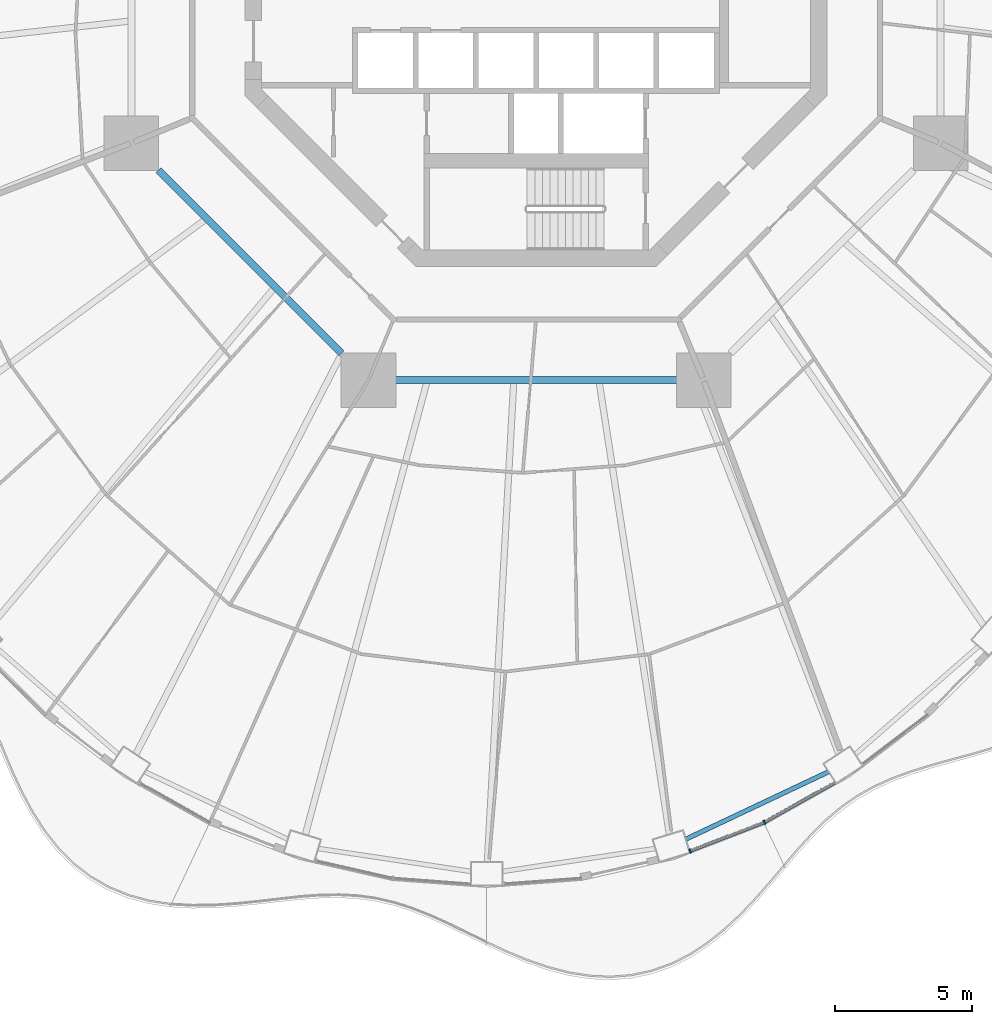
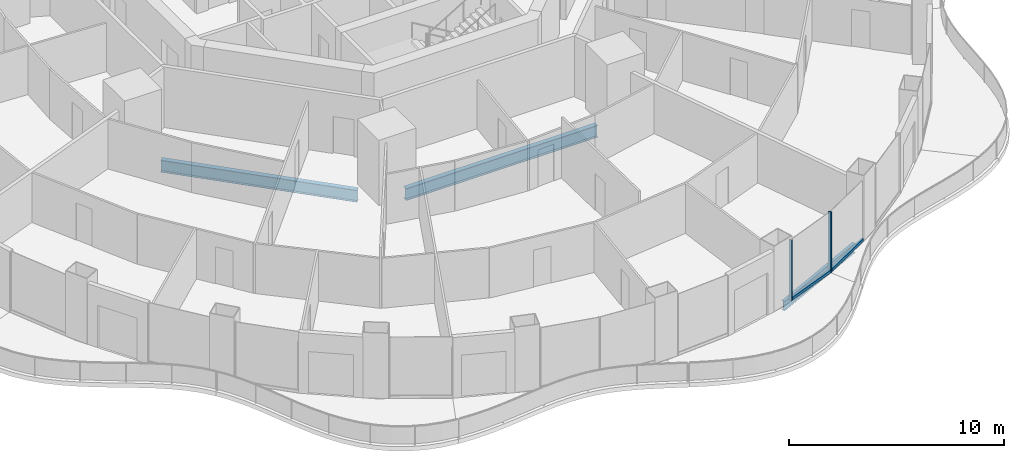
# One storey, part 4 of 20: 4 members, 3 beams, 2 elements without a shape of their own.
"""IFC4 building model written with IfcOpenShell, lengths in metres."""

from ifc_helpers import new_model, si_unit, direction, frame, origin, origin_2d, place, context, subcontext, project, spatial, rectangle, i_section, extrude, material, layer, layer_set, material_profile, profile_set, type_object, element, aggregate, save


model = new_model("IFC4")

# Units and contexts
model_context = context("Model", 3, precision=1e-05, world=origin(), true_north=direction((0.0, 1.0)))
body_context = subcontext(model_context, "Body", "Model", "MODEL_VIEW")
ifc_project = project(units=[si_unit("LENGTHUNIT", "METRE"), si_unit("AREAUNIT", "SQUARE_METRE"), si_unit("VOLUMEUNIT", "CUBIC_METRE"), si_unit("PLANEANGLEUNIT", "RADIAN"), si_unit("MASSUNIT", "GRAM", prefix="KILO")], contexts=[model_context])

# Site, building, storey
site_placement = place(None, origin())
site = spatial("IfcSite", under=ifc_project, at=site_placement, CompositionType="ELEMENT")
building_placement = place(site_placement, origin())
building = spatial("IfcBuilding", under=site, at=building_placement, Name="Nagisa Residences", CompositionType="ELEMENT")
storey_placement = place(building_placement, frame((0.0, 0.0, 152.89990234375)))
storey = spatial("IfcBuildingStorey", under=building, at=storey_placement, Name="L38", CompositionType="ELEMENT", Elevation=152.89990234375)

# Curtain wall, member
ifc_material_1 = material(Name="Concrete-coloured aluminium curtain wall system", Category="concrete")
ifc_layer = layer(ifc_material_1, 0.159912109375)
ifc_layer_set = layer_set([ifc_layer], Name="CW1 CURTAIN WALL")
curtain_wall_type = type_object("IfcCurtainWallType", Name="CW1 CURTAIN WALL", PredefinedType="NOTDEFINED", material=ifc_layer_set)
curtain_wall_1_placement = place(storey_placement, origin())
curtain_wall_1 = element("IfcCurtainWall", 1, at=curtain_wall_1_placement, inside=storey, type_object=curtain_wall_type, Name="cw:CW1:L38:38", PredefinedType="NOTDEFINED")
ifc_material_2 = material(Name="Concrete-coloured aluminium", Category="concrete")
ifc_material_profile_1 = material_profile(ifc_material_2, rectangle(XDim=0.159912109375, YDim=0.06005859375, at=origin_2d()), Name="CW1 MULLION 160x60")
ifc_profile_set_1 = profile_set([ifc_material_profile_1], Name="Concrete-coloured aluminium")
member_type_1 = type_object("IfcMemberType", Name="CW1 MULLION 160x60", PredefinedType="MULLION", material=ifc_profile_set_1)
member_1_placement = place(storey_placement, frame((5.626708984375, -31.982177734375, 0.0), z_axis=(0.0, 0.0, 1.0), x_axis=(-0.360327770268, 0.932825759707, 0.0)))
member_1 = element("IfcMember", 2, at=member_1_placement, type_object=member_type_1, Name="CW1 mullion", PredefinedType="MULLION", context=body_context, shape_type="SweptSolid", body=[
    extrude(rectangle(XDim=0.159912109375, YDim=0.06005859375, at=origin_2d()), origin(), (0.0, 0.0, 1.0), 3.440185546875),
])

curtain_wall_2_placement = place(storey_placement, origin())
curtain_wall_2 = element("IfcCurtainWall", 3, at=curtain_wall_2_placement, inside=storey, type_object=curtain_wall_type, Name="cw:CW1:L38:39", PredefinedType="NOTDEFINED")
member_2_placement = place(storey_placement, frame((8.341552734375, -30.9296875, 0.0), z_axis=(0.0, 0.0, 1.0), x_axis=(-0.489376918501, 0.872072377523, 0.0)))
member_2 = element("IfcMember", 4, at=member_2_placement, type_object=member_type_1, Name="CW1 mullion", PredefinedType="MULLION", context=body_context, shape_type="SweptSolid", body=[
    extrude(rectangle(XDim=0.159912109375, YDim=0.06005859375, at=origin_2d()), origin(), (0.0, 0.0, 1.0), 3.440185546875),
])

# Member
ifc_material_3 = material(Name="Concrete-coloured aluminium", Category="concrete")
ifc_material_profile_2 = material_profile(ifc_material_3, rectangle(XDim=0.1201171875, YDim=0.14990234375, at=origin_2d()), Name="CW1 TRANSOM 120x150")
ifc_profile_set_2 = profile_set([ifc_material_profile_2], Name="Concrete-coloured aluminium")
member_type_2 = type_object("IfcMemberType", Name="CW1 TRANSOM 120x150", PredefinedType="USERDEFINED", material=ifc_profile_set_2)
member_3_placement = place(storey_placement, frame((5.5986328125, -31.992919921875, 0.0751953125), z_axis=(0.932845344347, 0.360277064952, 0.0), x_axis=(-0.360277064952, 0.932845344347, 0.0)))
member_3 = element("IfcMember", 5, at=member_3_placement, type_object=member_type_2, Name="CW1 transom", ObjectType="TRANSOM", PredefinedType="USERDEFINED", context=body_context, shape_type="SweptSolid", body=[
    extrude(rectangle(XDim=0.1201171875, YDim=0.14990234375, at=origin_2d()), origin(), (0.0, 0.0, 1.0), 2.92333984375),
])

aggregate(curtain_wall_1, [member_1, member_3])

member_4_placement = place(storey_placement, frame((8.3154296875, -30.944580078125, 0.0751953125), z_axis=(0.87204719449, 0.4894217921, 0.0), x_axis=(-0.4894217921, 0.87204719449, 0.0)))
member_4 = element("IfcMember", 6, at=member_4_placement, type_object=member_type_2, Name="CW1 transom", ObjectType="TRANSOM", PredefinedType="USERDEFINED", context=body_context, shape_type="SweptSolid", body=[
    extrude(rectangle(XDim=0.1201171875, YDim=0.14990234375, at=origin_2d()), origin(), (0.0, 0.0, 1.0), 2.969482421875),
])

aggregate(curtain_wall_2, [member_2, member_4])

# Beams
ifc_material_4 = material(Name="Steel ASTM A572 Gr 50", Category="steel")
ifc_material_profile_3 = material_profile(ifc_material_4, i_section(OverallWidth=0.25390625, OverallDepth=0.68408203125, WebThickness=0.012451171875, FlangeThickness=0.018798828125, at=origin_2d()), Name="W690x140")
ifc_profile_set_3 = profile_set([ifc_material_profile_3], Name="Steel ASTM A572 Gr 50")
beam_type_1 = type_object("IfcBeamType", Name="Inner ring beam W690x140", PredefinedType="BEAM", material=ifc_profile_set_3)
beam_1_placement = place(storey_placement, frame((-13.796142578125, -7.10888671875, -0.601806640625), z_axis=(0.707106781187, -0.707106781187, 0.0), x_axis=(0.707106781187, 0.707106781187, 0.0)))
element("IfcBeam", 7, at=beam_1_placement, inside=storey, type_object=beam_type_1, Name="beam:L38:ib5", PredefinedType="BEAM", context=body_context, shape_type="SweptSolid", body=[
    extrude(i_section(OverallWidth=0.25390625, OverallDepth=0.68408203125, WebThickness=0.012451171875, FlangeThickness=0.018798828125, at=origin_2d()), origin(), (0.0, 0.0, 1.0), 9.457275390625),
])
beam_2_placement = place(storey_placement, frame((-5.142822265625, -14.781982421875, -0.601806640625), z_axis=(1.0, 0.0, 0.0), x_axis=(0.0, 1.0, 0.0)))
element("IfcBeam", 8, at=beam_2_placement, inside=storey, type_object=beam_type_1, Name="beam:L38:ib6", PredefinedType="BEAM", context=body_context, shape_type="SweptSolid", body=[
    extrude(i_section(OverallWidth=0.25390625, OverallDepth=0.68408203125, WebThickness=0.012451171875, FlangeThickness=0.018798828125, at=origin_2d()), origin(), (0.0, 0.0, 1.0), 10.28564453125),
])
ifc_material_5 = material(Name="Steel ASTM A572 Gr 50", Category="steel")
ifc_material_profile_4 = material_profile(ifc_material_5, i_section(OverallWidth=0.166015625, OverallDepth=0.534912109375, WebThickness=0.01025390625, FlangeThickness=0.0166015625, at=origin_2d()), Name="W530x85")
ifc_profile_set_4 = profile_set([ifc_material_profile_4], Name="Steel ASTM A572 Gr 50")
beam_type_2 = type_object("IfcBeamType", Name="Perimeter ring beam W530x85", PredefinedType="BEAM", material=ifc_profile_set_4)
beam_3_placement = place(storey_placement, frame((5.468505859375, -31.55029296875, -0.52734375), z_axis=(0.904186034847, 0.427138870143, 0.0), x_axis=(-0.427138870143, 0.904186034847, 0.0)))
element("IfcBeam", 9, at=beam_3_placement, inside=storey, type_object=beam_type_2, Name="beam:L38:pb20", PredefinedType="BEAM", context=body_context, shape_type="SweptSolid", body=[
    extrude(i_section(OverallWidth=0.166015625, OverallDepth=0.534912109375, WebThickness=0.01025390625, FlangeThickness=0.0166015625, at=origin_2d()), origin(), (0.0, 0.0, 1.0), 5.772216796875),
])

save(model, "model.ifc")
